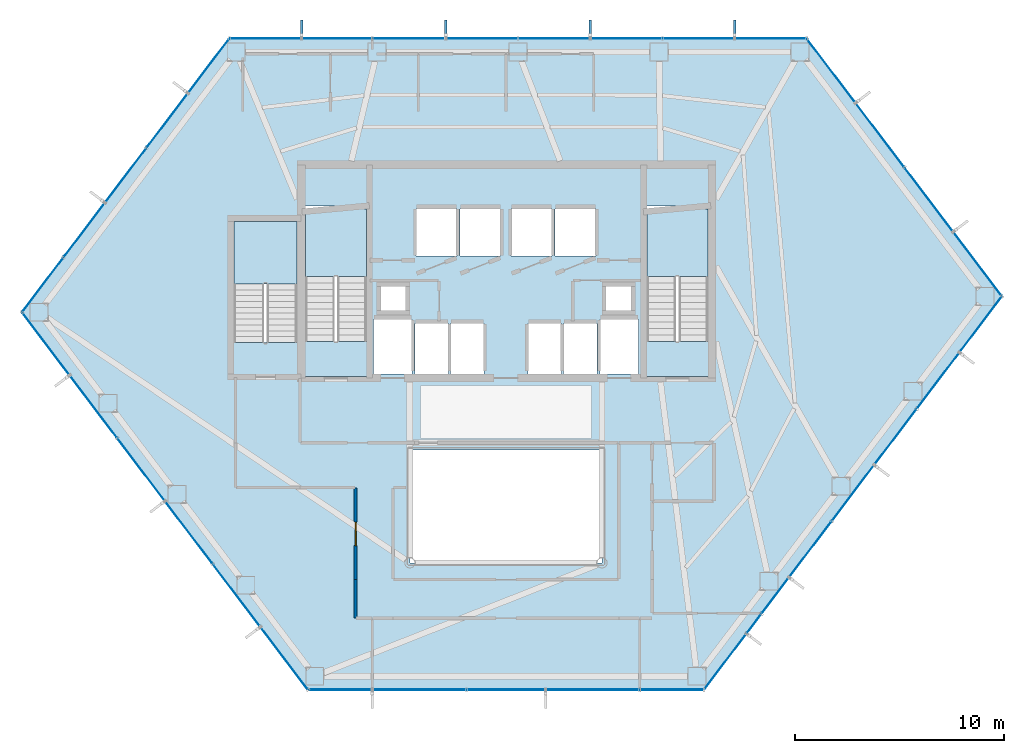
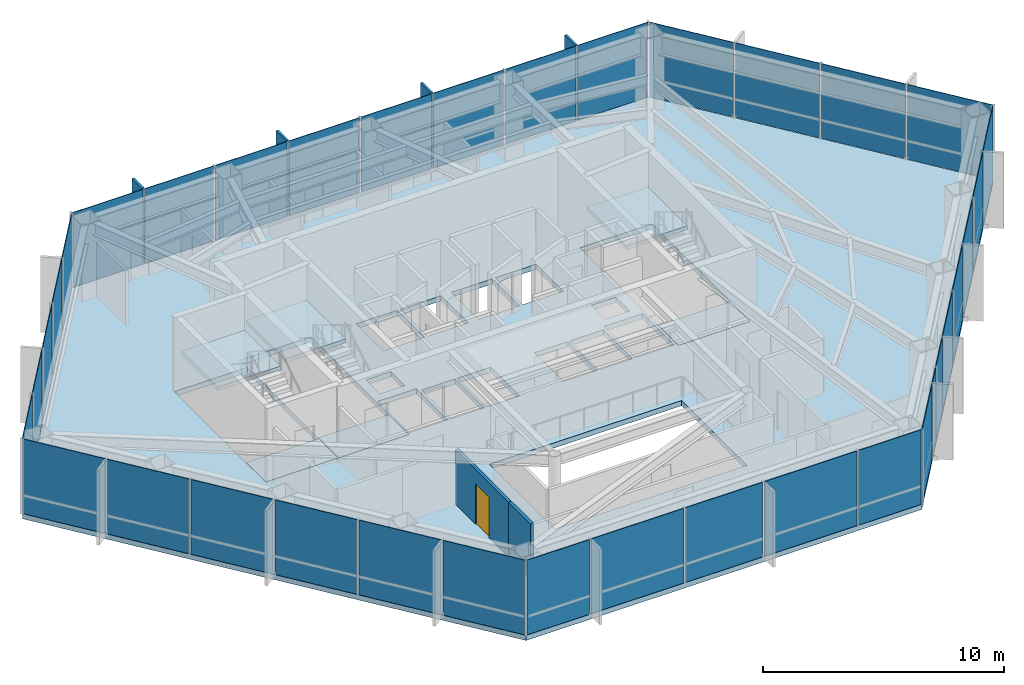
# One storey, part 20 of 24: 36 plates, 7 slabs, 4 members, 2 walls, 1 door, 1 opening, 9 elements without a shape of their own.
"""IFC4 building model written with IfcOpenShell, lengths in metres."""

import ifcopenshell
import ifcopenshell.guid

model = None  # the IFC model being written
_history = None  # IfcOwnerHistory: only IFC2X3 demands one
_inside = {}  # id of a spatial element -> (the spatial element, [elements in it])
_under = {}  # id of a project, library or spatial element -> (it, [spatial elements below it])
_declared = {}  # id of a project -> (the project, [libraries it declares])
_typed = {}  # id of a type object -> (the type object, [elements of that type])
_made_of = {}  # id of a material, layer set ... -> (it, [elements and type objects made of it])


def new_model(schema):
    """Start an empty IFC model of exactly this schema.

    Asked for "IFC4X3", IfcOpenShell would pick the latest addendum, in which some entities
    have other attributes; the version numbers below select the first issue.
    IFC2X3 requires an IfcOwnerHistory on every rooted entity: one is made here for all.
    """
    global model, _history
    if schema == "IFC4X3":
        model = ifcopenshell.file(schema_version=(4, 3, 0, 0))
    else:
        model = ifcopenshell.file(schema=schema)
    _inside.clear()
    _under.clear()
    _declared.clear()
    _typed.clear()
    _made_of.clear()
    _history = None
    if model.schema == "IFC2X3":
        org = make("IfcOrganization", Name="unknown")
        user = make(
            "IfcPersonAndOrganization",
            ThePerson=make("IfcPerson", FamilyName="unknown"),
            TheOrganization=org,
        )
        app = make(
            "IfcApplication",
            ApplicationDeveloper=org,
            Version="unknown",
            ApplicationFullName="unknown",
            ApplicationIdentifier="unknown",
        )
        _history = make(
            "IfcOwnerHistory",
            OwningUser=user,
            OwningApplication=app,
            ChangeAction="ADDED",
            CreationDate=0,
        )
    return model


def make(cls, **values):
    """One entity of the class cls with the attributes given. An attribute that is None is left unset."""
    return model.create_entity(
        cls, **{name: value for name, value in values.items() if value is not None}
    )


def rooted(cls, **values):
    """An entity with a GlobalId (a new one), such as an element, a storey or a relation."""
    return make(cls, GlobalId=ifcopenshell.guid.new(), OwnerHistory=_history, **values)


def si_unit(unit_type, name, prefix=None):
    """IfcSIUnit, for example si_unit("LENGTHUNIT", "METRE", prefix="MILLI")."""
    return make("IfcSIUnit", UnitType=unit_type, Prefix=prefix, Name=name)


def assignment(units):
    """IfcUnitAssignment: the units of a project."""
    return None if units is None else make("IfcUnitAssignment", Units=units)


def point(xyz):
    """IfcCartesianPoint."""
    return None if xyz is None else make("IfcCartesianPoint", Coordinates=xyz)


def direction(xyz):
    """IfcDirection."""
    return None if xyz is None else make("IfcDirection", DirectionRatios=xyz)


def frame(location, z_axis=None, x_axis=None):
    """IfcAxis2Placement3D, a coordinate frame: its origin and axes. An axis left out is left unset."""
    return make(
        "IfcAxis2Placement3D",
        Location=point(location),
        Axis=direction(z_axis),
        RefDirection=direction(x_axis),
    )


def frame_2d(location, x_axis=None):
    """IfcAxis2Placement2D, a coordinate frame in the plane: its origin and x axis."""
    return make(
        "IfcAxis2Placement2D", Location=point(location), RefDirection=direction(x_axis)
    )


def origin():
    """The frame at (0, 0, 0) with its axes left unset."""
    return frame((0.0, 0.0, 0.0))


def origin_2d():
    """The frame at (0, 0) in the plane with its x axis left unset."""
    return frame_2d((0.0, 0.0))


def place(relative_to, where):
    """IfcLocalPlacement: puts the frame where relative to a parent placement (None: the world)."""
    return make(
        "IfcLocalPlacement", PlacementRelTo=relative_to, RelativePlacement=where
    )


def context(
    kind, dimensions, precision=None, world=None, true_north=None, identifier=None
):
    """IfcGeometricRepresentationContext, for example the 3D "Model" context."""
    return make(
        "IfcGeometricRepresentationContext",
        ContextIdentifier=identifier,
        ContextType=kind,
        CoordinateSpaceDimension=dimensions,
        Precision=precision,
        WorldCoordinateSystem=world,
        TrueNorth=true_north,
    )


def subcontext(parent, identifier, kind, view, scale=None):
    """IfcGeometricRepresentationSubContext, for example "Body" below "Model"."""
    return make(
        "IfcGeometricRepresentationSubContext",
        ContextIdentifier=identifier,
        ContextType=kind,
        ParentContext=parent,
        TargetScale=scale,
        TargetView=view,
    )


def project(units=None, contexts=None):
    """IfcProject with its units and contexts."""
    return rooted(
        "IfcProject",
        Name="project",
        RepresentationContexts=contexts,
        UnitsInContext=assignment(units),
    )


def spatial(cls, under=None, at=None, **own):
    """A site, building, storey or space (cls), placed at a placement, below another one or the project."""
    s = rooted(cls, ObjectPlacement=at, **own)
    if under is not None:
        _under.setdefault(under.id(), (under, []))[1].append(s)
    return s


def polyline(points):
    """IfcPolyline through the points."""
    return make("IfcPolyline", Points=[point(p) for p in points])


def profile(cls, at=None, kind="AREA", **sizes):
    """A parametric profile (cls). Its sizes go by their IFC names, for example OverallWidth=200.0."""
    return make(cls, ProfileType=kind, Position=at, **sizes)


def rectangle(**sizes):
    """IfcRectangleProfileDef."""
    return profile("IfcRectangleProfileDef", **sizes)


def outline(outer, holes=None, kind="AREA"):
    """IfcArbitraryClosedProfileDef: a profile drawn as a closed curve; with holes, ...WithVoids."""
    if holes is None:
        return make("IfcArbitraryClosedProfileDef", ProfileType=kind, OuterCurve=outer)
    return make(
        "IfcArbitraryProfileDefWithVoids",
        ProfileType=kind,
        OuterCurve=outer,
        InnerCurves=holes,
    )


def extrude(swept, where, along, depth):
    """IfcExtrudedAreaSolid: the profile swept, set in the frame where, extruded along a direction by depth."""
    return make(
        "IfcExtrudedAreaSolid",
        SweptArea=swept,
        Position=where,
        ExtrudedDirection=direction(along),
        Depth=depth,
    )


def shape(context_of_items, identifier, shape_type, items):
    """IfcShapeRepresentation: the items that make up one representation, for example the "Body"."""
    return make(
        "IfcShapeRepresentation",
        ContextOfItems=context_of_items,
        RepresentationIdentifier=identifier,
        RepresentationType=shape_type,
        Items=items,
    )


def material(Name=None, Category=None):
    """IfcMaterial."""
    return make("IfcMaterial", Name=Name, Category=Category)


def layer(
    of_material, thickness, ventilated=None, Name=None, Category=None, Priority=None
):
    """IfcMaterialLayer: one layer of a wall or slab, of a material (None: an air gap)."""
    return make(
        "IfcMaterialLayer",
        Material=of_material,
        LayerThickness=thickness,
        IsVentilated=ventilated,
        Name=Name,
        Category=Category,
        Priority=Priority,
    )


def layer_set(layers, Name=None):
    """IfcMaterialLayerSet."""
    return make("IfcMaterialLayerSet", MaterialLayers=layers, LayerSetName=Name)


def material_profile(
    of_material, cross_section, Name=None, Category=None, Priority=None
):
    """IfcMaterialProfile: a cross section and its material."""
    return make(
        "IfcMaterialProfile",
        Name=Name,
        Material=of_material,
        Profile=cross_section,
        Priority=Priority,
        Category=Category,
    )


def profile_set(profiles, Name=None, composite=None):
    """IfcMaterialProfileSet."""
    return make(
        "IfcMaterialProfileSet",
        Name=Name,
        MaterialProfiles=profiles,
        CompositeProfile=composite,
    )


def made_of(thing, what):
    """Note that an element or type object is made of a material, layer set ...; save() writes the relation."""
    if what is not None:
        _made_of.setdefault(what.id(), (what, []))[1].append(thing)
    return thing


def type_object(cls, material=None, **own):
    """A type object (cls), such as IfcWallType, which elements share."""
    return made_of(rooted(cls, **own), material)


def element(
    cls,
    number,
    at=None,
    inside=None,
    cuts=None,
    type_object=None,
    material=None,
    context=None,
    identifier="Body",
    shape_type=None,
    held_by="IfcProductDefinitionShape",
    body=None,
    shapes=None,
    **own,
):
    """One element of the class cls, such as IfcWall. Its Tag is "e" and its number.

    at: its placement. inside: the storey or other place that contains it. cuts: it is an
    opening in that element (IfcRelVoidsElement). A single representation is given by context,
    identifier, shape_type and body (its items); several are given by shapes. held_by: the class
    of the entity that holds the representations. save() writes the other relations.
    """
    e = rooted(cls, Tag="e%d" % number, ObjectPlacement=at, **own)
    if body is not None:
        shapes = [shape(context, identifier, shape_type, body)]
    if shapes is not None:
        e.Representation = make(held_by, Representations=shapes)
    if inside is not None:
        _inside.setdefault(inside.id(), (inside, []))[1].append(e)
    if cuts is not None:
        rooted(
            "IfcRelVoidsElement", RelatingBuildingElement=cuts, RelatedOpeningElement=e
        )
    if type_object is not None:
        _typed.setdefault(type_object.id(), (type_object, []))[1].append(e)
    return made_of(e, material)


def fill(opening, filler):
    """IfcRelFillsElement: the door or window that sits in an opening."""
    return rooted(
        "IfcRelFillsElement",
        RelatingOpeningElement=opening,
        RelatedBuildingElement=filler,
    )


def aggregate(whole, parts):
    """IfcRelAggregates: a whole, such as a stair, and the parts it consists of."""
    return rooted("IfcRelAggregates", RelatingObject=whole, RelatedObjects=parts)


def save(model, path):
    """Write the relations noted so far, then the file.

    IfcRelAggregates (storeys below a building ...), IfcRelContainedInSpatialStructure (elements
    in a storey), IfcRelDefinesByType, IfcRelAssociatesMaterial and IfcRelDeclares: one each for
    every whole, place, type object, material and project.
    """
    for whole, parts in _under.values():
        aggregate(whole, parts)
    for where, things in _inside.values():
        rooted(
            "IfcRelContainedInSpatialStructure",
            RelatedElements=things,
            RelatingStructure=where,
        )
    for kind, things in _typed.values():
        rooted("IfcRelDefinesByType", RelatedObjects=things, RelatingType=kind)
    for what, things in _made_of.values():
        rooted("IfcRelAssociatesMaterial", RelatedObjects=things, RelatingMaterial=what)
    for by, libraries in _declared.values():
        rooted("IfcRelDeclares", RelatingContext=by, RelatedDefinitions=libraries)
    model.write(path)


model = new_model("IFC4")

# Units and contexts
model_context = context("Model", 3, precision=1e-05, world=origin(), true_north=direction((0.0, 1.0)))
body_context = subcontext(model_context, "Body", "Model", "MODEL_VIEW")
ifc_project = project(units=[si_unit("LENGTHUNIT", "METRE"), si_unit("AREAUNIT", "SQUARE_METRE"), si_unit("VOLUMEUNIT", "CUBIC_METRE"), si_unit("PLANEANGLEUNIT", "RADIAN"), si_unit("MASSUNIT", "GRAM", prefix="KILO")], contexts=[model_context])

# Site, building, storey
site_placement = place(None, origin())
site = spatial("IfcSite", under=ifc_project, at=site_placement, CompositionType="ELEMENT")
building_placement = place(site_placement, origin())
building = spatial("IfcBuilding", under=site, at=building_placement, Name="Zarrinselat Tower", CompositionType="ELEMENT")
storey_placement = place(building_placement, frame((0.0, 0.0, 100.97998046875)))
storey = spatial("IfcBuildingStorey", under=building, at=storey_placement, Name="L24", CompositionType="ELEMENT", Elevation=100.97998046875)

# Curtain wall, members, plates
ifc_material_1 = material(Name="Extruded Aluminium Alloy EN AW-6063 T6", Category="aluminium")
ifc_layer_1 = layer(ifc_material_1, 0.18505859375)
ifc_layer_set_1 = layer_set([ifc_layer_1], Name="Extruded Aluminium Alloy EN AW-6063 T6")
curtain_wall_type = type_object("IfcCurtainWallType", Name="CWS-OFF", PredefinedType="NOTDEFINED", material=ifc_layer_set_1)
curtain_wall_1_placement = place(storey_placement, origin())
curtain_wall_1 = element("IfcCurtainWall", 1, at=curtain_wall_1_placement, inside=storey, type_object=curtain_wall_type, Name="L24 Unitised Curtain Wall CW-L24-E01", PredefinedType="NOTDEFINED")
ifc_material_2 = material(Name="Honed Cream Travertine Stone", Category="masonry")
ifc_material_profile = material_profile(ifc_material_2, rectangle(XDim=0.1201171875, YDim=0.85009765625, at=origin_2d()), Name="FIN 850x120")
ifc_profile_set = profile_set([ifc_material_profile], Name="Honed Cream Travertine Stone")
member_type = type_object("IfcMemberType", Name="MEM-STONE-FIN", PredefinedType="USERDEFINED", material=ifc_profile_set)
member_1_placement = place(storey_placement, frame((49.340576171875, 49.9599609375, 0.0), z_axis=(0.0, 0.0, 1.0), x_axis=(1.0, 0.0, 0.0)))
member_1 = element("IfcMember", 2, at=member_1_placement, type_object=member_type, Name="L24 Stone Shading Fin CW-L24-E01-01", ObjectType="FIN", PredefinedType="USERDEFINED", context=body_context, shape_type="SweptSolid", body=[
    extrude(rectangle(XDim=0.1201171875, YDim=0.85009765625, at=origin_2d()), origin(), (0.0, 0.0, 1.0), 3.820068359375),
])
member_2_placement = place(storey_placement, frame((42.432861328125, 49.9599609375, 0.0), z_axis=(0.0, 0.0, 1.0), x_axis=(1.0, 0.0, 0.0)))
member_2 = element("IfcMember", 3, at=member_2_placement, type_object=member_type, Name="L24 Stone Shading Fin CW-L24-E01-03", ObjectType="FIN", PredefinedType="USERDEFINED", context=body_context, shape_type="SweptSolid", body=[
    extrude(rectangle(XDim=0.1201171875, YDim=0.85009765625, at=origin_2d()), origin(), (0.0, 0.0, 1.0), 3.820068359375),
])
member_3_placement = place(storey_placement, frame((35.525146484375, 49.9599609375, 0.0), z_axis=(0.0, 0.0, 1.0), x_axis=(1.0, 0.0, 0.0)))
member_3 = element("IfcMember", 4, at=member_3_placement, type_object=member_type, Name="L24 Stone Shading Fin CW-L24-E01-05", ObjectType="FIN", PredefinedType="USERDEFINED", context=body_context, shape_type="SweptSolid", body=[
    extrude(rectangle(XDim=0.1201171875, YDim=0.85009765625, at=origin_2d()), origin(), (0.0, 0.0, 1.0), 3.820068359375),
])
member_4_placement = place(storey_placement, frame((28.617431640625, 49.9599609375, 0.0), z_axis=(0.0, 0.0, 1.0), x_axis=(1.0, 0.0, 0.0)))
member_4 = element("IfcMember", 5, at=member_4_placement, type_object=member_type, Name="L24 Stone Shading Fin CW-L24-E01-07", ObjectType="FIN", PredefinedType="USERDEFINED", context=body_context, shape_type="SweptSolid", body=[
    extrude(rectangle(XDim=0.1201171875, YDim=0.85009765625, at=origin_2d()), origin(), (0.0, 0.0, 1.0), 3.820068359375),
])
ifc_material_3 = material(Name="Double Low-E Laminated Solar Glass", Category="glass")
ifc_layer_2 = layer(ifc_material_3, 0.031982421875)
ifc_layer_set_2 = layer_set([ifc_layer_2], Name="Double Low-E Laminated Solar Glass")
plate_type = type_object("IfcPlateType", Name="PLT-CW-GL32", PredefinedType="CURTAIN_PANEL", material=ifc_layer_set_2)
plate_1_placement = place(storey_placement, frame((51.067626953125, 49.5, 0.02001953125), z_axis=(0.0, 0.0, 1.0), x_axis=(-1.0, 0.0, 0.0)))
plate_1 = element("IfcPlate", 6, at=plate_1_placement, type_object=plate_type, Name="CW-L24-E01 Vision Glass Panel 1", PredefinedType="CURTAIN_PANEL", context=body_context, shape_type="SweptSolid", body=[
    extrude(rectangle(XDim=3.35400390625, YDim=0.031982421875, at=origin_2d()), origin(), (0.0, 0.0, 1.0), 3.780029296875),
])
plate_2_placement = place(storey_placement, frame((47.61376953125, 49.5, 0.02001953125), z_axis=(0.0, 0.0, 1.0), x_axis=(-1.0, 0.0, 0.0)))
plate_2 = element("IfcPlate", 7, at=plate_2_placement, type_object=plate_type, Name="CW-L24-E01 Vision Glass Panel 2", PredefinedType="CURTAIN_PANEL", context=body_context, shape_type="SweptSolid", body=[
    extrude(rectangle(XDim=3.35400390625, YDim=0.031982421875, at=origin_2d()), origin(), (0.0, 0.0, 1.0), 3.780029296875),
])
plate_3_placement = place(storey_placement, frame((44.159912109375, 49.5, 0.02001953125), z_axis=(0.0, 0.0, 1.0), x_axis=(-1.0, 0.0, 0.0)))
plate_3 = element("IfcPlate", 8, at=plate_3_placement, type_object=plate_type, Name="CW-L24-E01 Vision Glass Panel 3", PredefinedType="CURTAIN_PANEL", context=body_context, shape_type="SweptSolid", body=[
    extrude(rectangle(XDim=3.35400390625, YDim=0.031982421875, at=origin_2d()), origin(), (0.0, 0.0, 1.0), 3.780029296875),
])
plate_4_placement = place(storey_placement, frame((40.7060546875, 49.5, 0.02001953125), z_axis=(0.0, 0.0, 1.0), x_axis=(-1.0, 0.0, 0.0)))
plate_4 = element("IfcPlate", 9, at=plate_4_placement, type_object=plate_type, Name="CW-L24-E01 Vision Glass Panel 4", PredefinedType="CURTAIN_PANEL", context=body_context, shape_type="SweptSolid", body=[
    extrude(rectangle(XDim=3.35400390625, YDim=0.031982421875, at=origin_2d()), origin(), (0.0, 0.0, 1.0), 3.780029296875),
])
plate_5_placement = place(storey_placement, frame((37.252197265625, 49.5, 0.02001953125), z_axis=(0.0, 0.0, 1.0), x_axis=(-1.0, 0.0, 0.0)))
plate_5 = element("IfcPlate", 10, at=plate_5_placement, type_object=plate_type, Name="CW-L24-E01 Vision Glass Panel 5", PredefinedType="CURTAIN_PANEL", context=body_context, shape_type="SweptSolid", body=[
    extrude(rectangle(XDim=3.35400390625, YDim=0.031982421875, at=origin_2d()), origin(), (0.0, 0.0, 1.0), 3.780029296875),
])
plate_6_placement = place(storey_placement, frame((33.7626953125, 49.5, 0.02001953125), z_axis=(0.0, 0.0, 1.0), x_axis=(-1.0, 0.0, 0.0)))
plate_6 = element("IfcPlate", 11, at=plate_6_placement, type_object=plate_type, Name="CW-L24-E01 Vision Glass Panel 6", PredefinedType="CURTAIN_PANEL", context=body_context, shape_type="SweptSolid", body=[
    extrude(rectangle(XDim=3.42529296875, YDim=0.031982421875, at=origin_2d()), origin(), (0.0, 0.0, 1.0), 3.780029296875),
])
plate_7_placement = place(storey_placement, frame((30.30859375, 49.5, 0.02001953125), z_axis=(0.0, 0.0, 1.0), x_axis=(-1.0, 0.0, 0.0)))
plate_7 = element("IfcPlate", 12, at=plate_7_placement, type_object=plate_type, Name="CW-L24-E01 Vision Glass Panel 7", PredefinedType="CURTAIN_PANEL", context=body_context, shape_type="SweptSolid", body=[
    extrude(rectangle(XDim=3.282470703125, YDim=0.031982421875, at=origin_2d()), origin(), (0.0, 0.0, 1.0), 3.780029296875),
])
plate_8_placement = place(storey_placement, frame((26.890380859375, 49.5, 0.02001953125), z_axis=(0.0, 0.0, 1.0), x_axis=(-1.0, 0.0, 0.0)))
plate_8 = element("IfcPlate", 13, at=plate_8_placement, type_object=plate_type, Name="CW-L24-E01 Vision Glass Panel 8", PredefinedType="CURTAIN_PANEL", context=body_context, shape_type="SweptSolid", body=[
    extrude(rectangle(XDim=3.35400390625, YDim=0.031982421875, at=origin_2d()), origin(), (0.0, 0.0, 1.0), 3.780029296875),
])
aggregate(curtain_wall_1, [member_1, member_2, member_3, member_4, plate_1, plate_2, plate_3, plate_4, plate_5, plate_6, plate_7, plate_8])

# Curtain wall, plates
curtain_wall_2_placement = place(storey_placement, origin())
curtain_wall_2 = element("IfcCurtainWall", 14, at=curtain_wall_2_placement, inside=storey, type_object=curtain_wall_type, Name="L24 Unitised Curtain Wall CW-L24-E02", PredefinedType="NOTDEFINED")
plate_9_placement = place(storey_placement, frame((24.1708984375, 48.189697265625, 0.02001953125), z_axis=(0.0, 0.0, 1.0), x_axis=(-0.603854877249, -0.7970942775, 0.0)))
plate_9 = element("IfcPlate", 15, at=plate_9_placement, type_object=plate_type, Name="CW-L24-E02 Vision Glass Panel 1", PredefinedType="CURTAIN_PANEL", context=body_context, shape_type="SweptSolid", body=[
    extrude(rectangle(XDim=3.18798828125, YDim=0.031982421875, at=origin_2d()), origin(), (0.0, 0.0, 1.0), 3.780029296875),
])
plate_10_placement = place(storey_placement, frame((22.185302734375, 45.56884765625, 0.02001953125), z_axis=(0.0, 0.0, 1.0), x_axis=(-0.603854877249, -0.7970942775, 0.0)))
plate_10 = element("IfcPlate", 16, at=plate_10_placement, type_object=plate_type, Name="CW-L24-E02 Vision Glass Panel 2", PredefinedType="CURTAIN_PANEL", context=body_context, shape_type="SweptSolid", body=[
    extrude(rectangle(XDim=3.18798828125, YDim=0.031982421875, at=origin_2d()), origin(), (0.0, 0.0, 1.0), 3.780029296875),
])
plate_11_placement = place(storey_placement, frame((20.199951171875, 42.947998046875, 0.02001953125), z_axis=(0.0, 0.0, 1.0), x_axis=(-0.603854877249, -0.7970942775, 0.0)))
plate_11 = element("IfcPlate", 17, at=plate_11_placement, type_object=plate_type, Name="CW-L24-E02 Vision Glass Panel 3", PredefinedType="CURTAIN_PANEL", context=body_context, shape_type="SweptSolid", body=[
    extrude(rectangle(XDim=3.18798828125, YDim=0.031982421875, at=origin_2d()), origin(), (0.0, 0.0, 1.0), 3.780029296875),
])
plate_12_placement = place(storey_placement, frame((18.214599609375, 40.3271484375, 0.02001953125), z_axis=(0.0, 0.0, 1.0), x_axis=(-0.603854877249, -0.7970942775, 0.0)))
plate_12 = element("IfcPlate", 18, at=plate_12_placement, type_object=plate_type, Name="CW-L24-E02 Vision Glass Panel 4", PredefinedType="CURTAIN_PANEL", context=body_context, shape_type="SweptSolid", body=[
    extrude(rectangle(XDim=3.18798828125, YDim=0.031982421875, at=origin_2d()), origin(), (0.0, 0.0, 1.0), 3.780029296875),
])
plate_13_placement = place(storey_placement, frame((16.22900390625, 37.706298828125, 0.02001953125), z_axis=(0.0, 0.0, 1.0), x_axis=(-0.603854877249, -0.7970942775, 0.0)))
plate_13 = element("IfcPlate", 19, at=plate_13_placement, type_object=plate_type, Name="CW-L24-E02 Vision Glass Panel 5", PredefinedType="CURTAIN_PANEL", context=body_context, shape_type="SweptSolid", body=[
    extrude(rectangle(XDim=3.18798828125, YDim=0.031982421875, at=origin_2d()), origin(), (0.0, 0.0, 1.0), 3.780029296875),
])
aggregate(curtain_wall_2, [plate_9, plate_10, plate_11, plate_12, plate_13])

curtain_wall_3_placement = place(storey_placement, origin())
curtain_wall_3 = element("IfcCurtainWall", 20, at=curtain_wall_3_placement, inside=storey, type_object=curtain_wall_type, Name="L24 Unitised Curtain Wall CW-L24-E03", PredefinedType="NOTDEFINED")
plate_14_placement = place(storey_placement, frame((16.377197265625, 34.89013671875, 0.02001953125), z_axis=(0.0, 0.0, 1.0), x_axis=(0.603857772927, -0.797092083812, 0.0)))
plate_14 = element("IfcPlate", 21, at=plate_14_placement, type_object=plate_type, Name="CW-L24-E03 Vision Glass Panel 1", PredefinedType="CURTAIN_PANEL", context=body_context, shape_type="SweptSolid", body=[
    extrude(rectangle(XDim=3.678466796875, YDim=0.031982421875, at=origin_2d()), origin(), (0.0, 0.0, 1.0), 3.780029296875),
])
plate_15_placement = place(storey_placement, frame((18.65869140625, 31.87841796875, 0.02001953125), z_axis=(0.0, 0.0, 1.0), x_axis=(0.603857772927, -0.797092083812, 0.0)))
plate_15 = element("IfcPlate", 22, at=plate_15_placement, type_object=plate_type, Name="CW-L24-E03 Vision Glass Panel 2", PredefinedType="CURTAIN_PANEL", context=body_context, shape_type="SweptSolid", body=[
    extrude(rectangle(XDim=3.678466796875, YDim=0.031982421875, at=origin_2d()), origin(), (0.0, 0.0, 1.0), 3.780029296875),
])
plate_16_placement = place(storey_placement, frame((20.9404296875, 28.86669921875, 0.02001953125), z_axis=(0.0, 0.0, 1.0), x_axis=(0.603857772927, -0.797092083812, 0.0)))
plate_16 = element("IfcPlate", 23, at=plate_16_placement, type_object=plate_type, Name="CW-L24-E03 Vision Glass Panel 3", PredefinedType="CURTAIN_PANEL", context=body_context, shape_type="SweptSolid", body=[
    extrude(rectangle(XDim=3.678466796875, YDim=0.031982421875, at=origin_2d()), origin(), (0.0, 0.0, 1.0), 3.780029296875),
])
plate_17_placement = place(storey_placement, frame((23.22216796875, 25.85498046875, 0.02001953125), z_axis=(0.0, 0.0, 1.0), x_axis=(0.603857772927, -0.797092083812, 0.0)))
plate_17 = element("IfcPlate", 24, at=plate_17_placement, type_object=plate_type, Name="CW-L24-E03 Vision Glass Panel 4", PredefinedType="CURTAIN_PANEL", context=body_context, shape_type="SweptSolid", body=[
    extrude(rectangle(XDim=3.678466796875, YDim=0.031982421875, at=origin_2d()), origin(), (0.0, 0.0, 1.0), 3.780029296875),
])
plate_18_placement = place(storey_placement, frame((25.503662109375, 22.84326171875, 0.02001953125), z_axis=(0.0, 0.0, 1.0), x_axis=(0.603857772927, -0.797092083812, 0.0)))
plate_18 = element("IfcPlate", 25, at=plate_18_placement, type_object=plate_type, Name="CW-L24-E03 Vision Glass Panel 5", PredefinedType="CURTAIN_PANEL", context=body_context, shape_type="SweptSolid", body=[
    extrude(rectangle(XDim=3.678466796875, YDim=0.031982421875, at=origin_2d()), origin(), (0.0, 0.0, 1.0), 3.780029296875),
])
plate_19_placement = place(storey_placement, frame((27.785400390625, 19.83154296875, 0.02001953125), z_axis=(0.0, 0.0, 1.0), x_axis=(0.603857772927, -0.797092083812, 0.0)))
plate_19 = element("IfcPlate", 26, at=plate_19_placement, type_object=plate_type, Name="CW-L24-E03 Vision Glass Panel 6", PredefinedType="CURTAIN_PANEL", context=body_context, shape_type="SweptSolid", body=[
    extrude(rectangle(XDim=3.678466796875, YDim=0.031982421875, at=origin_2d()), origin(), (0.0, 0.0, 1.0), 3.780029296875),
])
aggregate(curtain_wall_3, [plate_14, plate_15, plate_16, plate_17, plate_18, plate_19])

curtain_wall_4_placement = place(storey_placement, origin())
curtain_wall_4 = element("IfcCurtainWall", 27, at=curtain_wall_4_placement, inside=storey, type_object=curtain_wall_type, Name="L24 Unitised Curtain Wall CW-L24-E04", PredefinedType="NOTDEFINED")
plate_20_placement = place(storey_placement, frame((30.463134765625, 18.32568359375, 0.02001953125), z_axis=(0.0, 0.0, 1.0), x_axis=(1.0, 0.0, 0.0)))
plate_20 = element("IfcPlate", 28, at=plate_20_placement, type_object=plate_type, Name="CW-L24-E04 Vision Glass Panel 1", PredefinedType="CURTAIN_PANEL", context=body_context, shape_type="SweptSolid", body=[
    extrude(rectangle(XDim=2.973876953125, YDim=0.031982421875, at=origin_2d()), origin(), (0.0, 0.0, 1.0), 3.780029296875),
])
plate_21_placement = place(storey_placement, frame((34.252685546875, 18.32568359375, 0.02001953125), z_axis=(0.0, 0.0, 1.0), x_axis=(1.0, 0.0, 0.0)))
plate_21 = element("IfcPlate", 29, at=plate_21_placement, type_object=plate_type, Name="CW-L24-E04 Vision Glass Panel 2", PredefinedType="CURTAIN_PANEL", context=body_context, shape_type="SweptSolid", body=[
    extrude(rectangle(XDim=4.4052734375, YDim=0.031982421875, at=origin_2d()), origin(), (0.0, 0.0, 1.0), 3.780029296875),
])
plate_22_placement = place(storey_placement, frame((38.39990234375, 18.32568359375, 0.02001953125), z_axis=(0.0, 0.0, 1.0), x_axis=(1.0, 0.0, 0.0)))
plate_22 = element("IfcPlate", 30, at=plate_22_placement, type_object=plate_type, Name="CW-L24-E04 Vision Glass Panel 3", PredefinedType="CURTAIN_PANEL", context=body_context, shape_type="SweptSolid", body=[
    extrude(rectangle(XDim=3.689697265625, YDim=0.031982421875, at=origin_2d()), origin(), (0.0, 0.0, 1.0), 3.780029296875),
])
plate_23_placement = place(storey_placement, frame((42.54736328125, 18.32568359375, 0.02001953125), z_axis=(0.0, 0.0, 1.0), x_axis=(1.0, 0.0, 0.0)))
plate_23 = element("IfcPlate", 31, at=plate_23_placement, type_object=plate_type, Name="CW-L24-E04 Vision Glass Panel 4", PredefinedType="CURTAIN_PANEL", context=body_context, shape_type="SweptSolid", body=[
    extrude(rectangle(XDim=4.4052734375, YDim=0.031982421875, at=origin_2d()), origin(), (0.0, 0.0, 1.0), 3.780029296875),
])
plate_24_placement = place(storey_placement, frame((46.3369140625, 18.32568359375, 0.02001953125), z_axis=(0.0, 0.0, 1.0), x_axis=(1.0, 0.0, 0.0)))
plate_24 = element("IfcPlate", 32, at=plate_24_placement, type_object=plate_type, Name="CW-L24-E04 Vision Glass Panel 5", PredefinedType="CURTAIN_PANEL", context=body_context, shape_type="SweptSolid", body=[
    extrude(rectangle(XDim=2.973876953125, YDim=0.031982421875, at=origin_2d()), origin(), (0.0, 0.0, 1.0), 3.780029296875),
])
aggregate(curtain_wall_4, [plate_20, plate_21, plate_22, plate_23, plate_24])

curtain_wall_5_placement = place(storey_placement, origin())
curtain_wall_5 = element("IfcCurtainWall", 33, at=curtain_wall_5_placement, inside=storey, type_object=curtain_wall_type, Name="L24 Unitised Curtain Wall CW-L24-E05", PredefinedType="NOTDEFINED")
plate_25_placement = place(storey_placement, frame((48.89306640625, 19.6708984375, 0.02001953125), z_axis=(0.0, 0.0, 1.0), x_axis=(0.603858013909, 0.79709190125, 0.0)))
plate_25 = element("IfcPlate", 34, at=plate_25_placement, type_object=plate_type, Name="CW-L24-E05 Vision Glass Panel 1", PredefinedType="CURTAIN_PANEL", context=body_context, shape_type="SweptSolid", body=[
    extrude(rectangle(XDim=3.275634765625, YDim=0.031982421875, at=origin_2d()), origin(), (0.0, 0.0, 1.0), 3.780029296875),
])
plate_26_placement = place(storey_placement, frame((50.271240234375, 21.489990234375, 0.02001953125), z_axis=(0.0, 0.0, 1.0), x_axis=(0.603858013909, 0.79709190125, 0.0)))
plate_26 = element("IfcPlate", 35, at=plate_26_placement, type_object=plate_type, Name="CW-L24-E05 Vision Glass Panel 2", PredefinedType="CURTAIN_PANEL", context=body_context, shape_type="SweptSolid", body=[
    extrude(rectangle(XDim=1.088623046875, YDim=0.031982421875, at=origin_2d()), origin(), (0.0, 0.0, 1.0), 3.780029296875),
])
plate_27_placement = place(storey_placement, frame((51.290283203125, 22.83544921875, 0.02001953125), z_axis=(0.0, 0.0, 1.0), x_axis=(0.603858013909, 0.79709190125, 0.0)))
plate_27 = element("IfcPlate", 36, at=plate_27_placement, type_object=plate_type, Name="CW-L24-E05 Vision Glass Panel 3", PredefinedType="CURTAIN_PANEL", context=body_context, shape_type="SweptSolid", body=[
    extrude(rectangle(XDim=2.0869140625, YDim=0.031982421875, at=origin_2d()), origin(), (0.0, 0.0, 1.0), 3.780029296875),
])
plate_28_placement = place(storey_placement, frame((52.969970703125, 25.05224609375, 0.02001953125), z_axis=(0.0, 0.0, 1.0), x_axis=(0.603858013909, 0.79709190125, 0.0)))
plate_28 = element("IfcPlate", 37, at=plate_28_placement, type_object=plate_type, Name="CW-L24-E05 Vision Glass Panel 4", PredefinedType="CURTAIN_PANEL", context=body_context, shape_type="SweptSolid", body=[
    extrude(rectangle(XDim=3.275634765625, YDim=0.031982421875, at=origin_2d()), origin(), (0.0, 0.0, 1.0), 3.780029296875),
])
plate_29_placement = place(storey_placement, frame((55.00830078125, 27.742919921875, 0.02001953125), z_axis=(0.0, 0.0, 1.0), x_axis=(0.603858013909, 0.79709190125, 0.0)))
plate_29 = element("IfcPlate", 38, at=plate_29_placement, type_object=plate_type, Name="CW-L24-E05 Vision Glass Panel 5", PredefinedType="CURTAIN_PANEL", context=body_context, shape_type="SweptSolid", body=[
    extrude(rectangle(XDim=3.275634765625, YDim=0.031982421875, at=origin_2d()), origin(), (0.0, 0.0, 1.0), 3.780029296875),
])
plate_30_placement = place(storey_placement, frame((57.046630859375, 30.43359375, 0.02001953125), z_axis=(0.0, 0.0, 1.0), x_axis=(0.603858013909, 0.79709190125, 0.0)))
plate_30 = element("IfcPlate", 39, at=plate_30_placement, type_object=plate_type, Name="CW-L24-E05 Vision Glass Panel 6", PredefinedType="CURTAIN_PANEL", context=body_context, shape_type="SweptSolid", body=[
    extrude(rectangle(XDim=3.275634765625, YDim=0.031982421875, at=origin_2d()), origin(), (0.0, 0.0, 1.0), 3.780029296875),
])
plate_31_placement = place(storey_placement, frame((59.085205078125, 33.12451171875, 0.02001953125), z_axis=(0.0, 0.0, 1.0), x_axis=(0.603858013909, 0.79709190125, 0.0)))
plate_31 = element("IfcPlate", 40, at=plate_31_placement, type_object=plate_type, Name="CW-L24-E05 Vision Glass Panel 7", PredefinedType="CURTAIN_PANEL", context=body_context, shape_type="SweptSolid", body=[
    extrude(rectangle(XDim=3.275634765625, YDim=0.031982421875, at=origin_2d()), origin(), (0.0, 0.0, 1.0), 3.780029296875),
])
plate_32_placement = place(storey_placement, frame((61.12353515625, 35.815185546875, 0.02001953125), z_axis=(0.0, 0.0, 1.0), x_axis=(0.603858013909, 0.79709190125, 0.0)))
plate_32 = element("IfcPlate", 41, at=plate_32_placement, type_object=plate_type, Name="CW-L24-E05 Vision Glass Panel 8", PredefinedType="CURTAIN_PANEL", context=body_context, shape_type="SweptSolid", body=[
    extrude(rectangle(XDim=3.275634765625, YDim=0.031982421875, at=origin_2d()), origin(), (0.0, 0.0, 1.0), 3.780029296875),
])
aggregate(curtain_wall_5, [plate_25, plate_26, plate_27, plate_28, plate_29, plate_30, plate_31, plate_32])

curtain_wall_6_placement = place(storey_placement, origin())
curtain_wall_6 = element("IfcCurtainWall", 42, at=curtain_wall_6_placement, inside=storey, type_object=curtain_wall_type, Name="L24 Unitised Curtain Wall CW-L24-E06", PredefinedType="NOTDEFINED")
plate_33_placement = place(storey_placement, frame((60.97412109375, 38.702880859375, 0.02001953125), z_axis=(0.0, 0.0, 1.0), x_axis=(-0.6038584342, 0.797091582847, 0.0)))
plate_33 = element("IfcPlate", 43, at=plate_33_placement, type_object=plate_type, Name="CW-L24-E06 Vision Glass Panel 1", PredefinedType="CURTAIN_PANEL", context=body_context, shape_type="SweptSolid", body=[
    extrude(rectangle(XDim=3.770263671875, YDim=0.031982421875, at=origin_2d()), origin(), (0.0, 0.0, 1.0), 3.780029296875),
])
plate_34_placement = place(storey_placement, frame((58.63720703125, 41.787841796875, 0.02001953125), z_axis=(0.0, 0.0, 1.0), x_axis=(-0.6038584342, 0.797091582847, 0.0)))
plate_34 = element("IfcPlate", 44, at=plate_34_placement, type_object=plate_type, Name="CW-L24-E06 Vision Glass Panel 2", PredefinedType="CURTAIN_PANEL", context=body_context, shape_type="SweptSolid", body=[
    extrude(rectangle(XDim=3.770263671875, YDim=0.031982421875, at=origin_2d()), origin(), (0.0, 0.0, 1.0), 3.780029296875),
])
plate_35_placement = place(storey_placement, frame((56.300048828125, 44.872802734375, 0.02001953125), z_axis=(0.0, 0.0, 1.0), x_axis=(-0.6038584342, 0.797091582847, 0.0)))
plate_35 = element("IfcPlate", 45, at=plate_35_placement, type_object=plate_type, Name="CW-L24-E06 Vision Glass Panel 3", PredefinedType="CURTAIN_PANEL", context=body_context, shape_type="SweptSolid", body=[
    extrude(rectangle(XDim=3.770263671875, YDim=0.031982421875, at=origin_2d()), origin(), (0.0, 0.0, 1.0), 3.780029296875),
])
plate_36_placement = place(storey_placement, frame((53.962890625, 47.95751953125, 0.02001953125), z_axis=(0.0, 0.0, 1.0), x_axis=(-0.6038584342, 0.797091582847, 0.0)))
plate_36 = element("IfcPlate", 46, at=plate_36_placement, type_object=plate_type, Name="CW-L24-E06 Vision Glass Panel 4", PredefinedType="CURTAIN_PANEL", context=body_context, shape_type="SweptSolid", body=[
    extrude(rectangle(XDim=3.770263671875, YDim=0.031982421875, at=origin_2d()), origin(), (0.0, 0.0, 1.0), 3.780029296875),
])
aggregate(curtain_wall_6, [plate_33, plate_34, plate_35, plate_36])

# Slabs
ifc_material_4 = material(Name="Concrete C40/50", Category="concrete")
ifc_layer_3 = layer(ifc_material_4, 0.260009765625)
ifc_layer_set_3 = layer_set([ifc_layer_3], Name="Concrete C40/50")
slab_type_1 = type_object("IfcSlabType", Name="SLB-FLOOR-260-SL-OF260", PredefinedType="FLOOR", material=ifc_layer_set_3)
slab_1_placement = place(storey_placement, frame((0.0, 0.0, -0.260009765625)))
element("IfcSlab", 47, at=slab_1_placement, inside=storey, type_object=slab_type_1, Name="L24 Primary Structural Slab", PredefinedType="FLOOR", context=body_context, shape_type="SweptSolid", body=[
    extrude(outline(polyline([(52.79443359375, 49.5), (25.16357421875, 49.5), (15.236328125, 36.39599609375), (28.926025390625, 18.32568359375), (47.873779296875, 18.32568359375), (62.142578125, 37.160400390625), (52.79443359375, 49.5)]), holes=[polyline([(34.050048828125, 33.449951171875), (34.050048828125, 35.85009765625), (35.64990234375, 35.85009765625), (35.64990234375, 33.449951171875), (34.050048828125, 33.449951171875)]), polyline([(35.75, 33.449951171875), (35.75, 35.85009765625), (37.35009765625, 35.85009765625), (37.35009765625, 33.449951171875), (35.75, 33.449951171875)]), polyline([(32.06005859375, 33.449951171875), (32.06005859375, 36.050048828125), (33.89990234375, 36.050048828125), (33.89990234375, 33.449951171875), (32.06005859375, 33.449951171875)]), polyline([(32.419921875, 36.47998046875), (32.419921875, 37.639892578125), (33.60009765625, 37.639892578125), (33.60009765625, 36.47998046875), (32.419921875, 36.47998046875)]), polyline([(28.594970703125, 33.324951171875), (25.114990234375, 33.324951171875), (25.114990234375, 40.875), (28.594970703125, 40.875), (28.594970703125, 33.324951171875)]), polyline([(31.985107421875, 33.324951171875), (28.60498046875, 33.324951171875), (28.60498046875, 41.47509765625), (31.985107421875, 41.47509765625), (31.985107421875, 33.324951171875)]), polyline([(34.10009765625, 39.10009765625), (34.10009765625, 41.35009765625), (36.050048828125, 41.35009765625), (36.050048828125, 39.10009765625), (34.10009765625, 39.10009765625)]), polyline([(36.199951171875, 39.10009765625), (36.199951171875, 41.35009765625), (38.14990234375, 41.35009765625), (38.14990234375, 39.10009765625), (36.199951171875, 39.10009765625)]), polyline([(33.800048828125, 24.39990234375), (33.800048828125, 29.800048828125), (43.0, 29.800048828125), (43.0, 24.39990234375), (33.800048828125, 24.39990234375)]), polyline([(39.449951171875, 33.449951171875), (39.449951171875, 35.85009765625), (41.050048828125, 35.85009765625), (41.050048828125, 33.449951171875), (39.449951171875, 33.449951171875)]), polyline([(41.14990234375, 33.449951171875), (41.14990234375, 35.85009765625), (42.75, 35.85009765625), (42.75, 33.449951171875), (41.14990234375, 33.449951171875)]), polyline([(42.89990234375, 33.449951171875), (42.89990234375, 36.050048828125), (44.739990234375, 36.050048828125), (44.739990234375, 33.449951171875), (42.89990234375, 33.449951171875)]), polyline([(43.199951171875, 36.47998046875), (43.199951171875, 37.639892578125), (44.3798828125, 37.639892578125), (44.3798828125, 36.47998046875), (43.199951171875, 36.47998046875)]), polyline([(48.324951171875, 33.324951171875), (44.875, 33.324951171875), (44.875, 41.47509765625), (48.324951171875, 41.47509765625), (48.324951171875, 33.324951171875)]), polyline([(38.64990234375, 39.10009765625), (38.64990234375, 41.35009765625), (40.60009765625, 41.35009765625), (40.60009765625, 39.10009765625), (38.64990234375, 39.10009765625)]), polyline([(40.75, 39.10009765625), (40.75, 41.35009765625), (42.699951171875, 41.35009765625), (42.699951171875, 39.10009765625), (40.75, 39.10009765625)])]), origin(), (0.0, 0.0, 1.0), 0.260009765625),
])
slab_2_placement = place(storey_placement, frame((0.0, 0.0, -0.260009765625)))
element("IfcSlab", 48, at=slab_2_placement, inside=storey, type_object=slab_type_1, Name="L24 Stair ST-1-FL1 Structural Floor Landing", PredefinedType="FLOOR", context=body_context, shape_type="SweptSolid", body=[
    extrude(outline(polyline([(31.97998046875, 33.330078125), (31.97998046875, 35.0), (28.610107421875, 35.0), (28.610107421875, 33.330078125), (31.97998046875, 33.330078125)])), origin(), (0.0, 0.0, 1.0), 0.260009765625),
])
slab_3_placement = place(storey_placement, frame((0.0, 0.0, -0.260009765625)))
element("IfcSlab", 49, at=slab_3_placement, inside=storey, type_object=slab_type_1, Name="L24 Stair ST-2-FL1 Structural Floor Landing", PredefinedType="FLOOR", context=body_context, shape_type="SweptSolid", body=[
    extrude(outline(polyline([(48.320068359375, 33.330078125), (48.320068359375, 35.0), (44.8798828125, 35.0), (44.8798828125, 33.330078125), (48.320068359375, 33.330078125)])), origin(), (0.0, 0.0, 1.0), 0.260009765625),
])
slab_4_placement = place(storey_placement, frame((0.0, 0.0, -0.260009765625)))
element("IfcSlab", 50, at=slab_4_placement, inside=storey, type_object=slab_type_1, Name="L24 Stair ST-3-FL1 Structural Floor Landing", PredefinedType="FLOOR", context=body_context, shape_type="SweptSolid", body=[
    extrude(outline(polyline([(28.590087890625, 33.330078125), (28.590087890625, 34.949951171875), (25.1201171875, 34.949951171875), (25.1201171875, 33.330078125), (28.590087890625, 33.330078125)])), origin(), (0.0, 0.0, 1.0), 0.260009765625),
])

# Stair, slab
ifc_material_5 = material(Name="Concrete C40/50", Category="concrete")
stair_type_1 = type_object("IfcStairType", Name="STR-CORE-145", PredefinedType="HALF_TURN_STAIR", material=ifc_material_5)
stair_1_placement = place(storey_placement, origin())
stair_1 = element("IfcStair", 51, at=stair_1_placement, inside=storey, type_object=stair_type_1, Name="L24 Podium & Mid-Tower Exit Stair 3", PredefinedType="HALF_TURN_STAIR")
ifc_material_6 = material(Name="Concrete C40/50", Category="concrete")
ifc_layer_4 = layer(ifc_material_6, 0.1650390625)
ifc_layer_set_4 = layer_set([ifc_layer_4], Name="Concrete C40/50")
slab_type_2 = type_object("IfcSlabType", Name="SLB-LND-165", PredefinedType="LANDING", material=ifc_layer_set_4)
slab_5_placement = place(storey_placement, frame((0.0, 0.0, 1.840087890625)))
slab_5 = element("IfcSlab", 52, at=slab_5_placement, type_object=slab_type_2, Name="ST-3 landing 1", PredefinedType="LANDING", context=body_context, shape_type="SweptSolid", body=[
    extrude(outline(polyline([(28.39990234375, 37.75), (28.39990234375, 40.75), (25.3798828125, 40.75), (25.3798828125, 37.75), (28.39990234375, 37.75)])), origin(), (0.0, 0.0, 1.0), 0.199951171875),
])
aggregate(stair_1, [slab_5])

ifc_material_7 = material(Name="Concrete C40/50", Category="concrete")
stair_type_2 = type_object("IfcStairType", Name="STR-CORE-155", PredefinedType="HALF_TURN_STAIR", material=ifc_material_7)
stair_2_placement = place(storey_placement, origin())
stair_2 = element("IfcStair", 53, at=stair_2_placement, inside=storey, type_object=stair_type_2, Name="L24 Core Exit Stair 1", PredefinedType="HALF_TURN_STAIR")
ifc_material_8 = material(Name="Concrete C40/50", Category="concrete")
ifc_layer_5 = layer(ifc_material_8, 0.18994140625)
ifc_layer_set_5 = layer_set([ifc_layer_5], Name="Concrete C40/50")
slab_type_3 = type_object("IfcSlabType", Name="SLB-LND-190", PredefinedType="LANDING", material=ifc_layer_set_5)
slab_6_placement = place(storey_placement, frame((0.0, 0.0, 1.840087890625)))
slab_6 = element("IfcSlab", 54, at=slab_6_placement, type_object=slab_type_3, Name="ST-1 landing 1", PredefinedType="LANDING", context=body_context, shape_type="SweptSolid", body=[
    extrude(outline(polyline([(31.719970703125, 38.10009765625), (31.719970703125, 41.35009765625), (28.800048828125, 41.35009765625), (28.800048828125, 38.10009765625), (31.719970703125, 38.10009765625)])), origin(), (0.0, 0.0, 1.0), 0.199951171875),
])
aggregate(stair_2, [slab_6])

stair_3_placement = place(storey_placement, origin())
stair_3 = element("IfcStair", 55, at=stair_3_placement, inside=storey, type_object=stair_type_2, Name="L24 Core Exit Stair 2", PredefinedType="HALF_TURN_STAIR")
slab_7_placement = place(storey_placement, frame((0.0, 0.0, 1.840087890625)))
slab_7 = element("IfcSlab", 56, at=slab_7_placement, type_object=slab_type_3, Name="ST-2 landing 1", PredefinedType="LANDING", context=body_context, shape_type="SweptSolid", body=[
    extrude(outline(polyline([(48.06005859375, 38.10009765625), (48.06005859375, 41.35009765625), (45.139892578125, 41.35009765625), (45.139892578125, 38.10009765625), (48.06005859375, 38.10009765625)])), origin(), (0.0, 0.0, 1.0), 0.199951171875),
])
aggregate(stair_3, [slab_7])

# Wall
ifc_material_9 = material(Name="Fire-Rated Gypsum Board Partition", Category="gypsum")
ifc_layer_6 = layer(ifc_material_9, 0.14990234375)
ifc_layer_set_6 = layer_set([ifc_layer_6], Name="Fire-Rated Gypsum Board Partition")
wall_type = type_object("IfcWallType", Name="WAL-PART-EI60", PredefinedType="PARTITIONING", material=ifc_layer_set_6)
wall_1_placement = place(storey_placement, frame((31.199951171875, 21.77001953125, 0.0), z_axis=(0.0, 0.0, 1.0), x_axis=(0.0, 1.0, 0.0)))
element("IfcWall", 57, at=wall_1_placement, inside=storey, type_object=wall_type, Name="L24 Partition Wall 20", PredefinedType="PARTITIONING", context=body_context, shape_type="SweptSolid", body=[
    extrude(rectangle(XDim=1.830078125, YDim=0.14990234375, at=frame_2d((0.9150390625, 0.0))), origin(), (0.0, 0.0, 1.0), 2.777099609375),
])

# Wall, opening, door
wall_2_placement = place(storey_placement, frame((31.199951171875, 23.60009765625, 0.0), z_axis=(0.0, 0.0, 1.0), x_axis=(0.0, 1.0, 0.0)))
wall_2 = element("IfcWall", 58, at=wall_2_placement, inside=storey, type_object=wall_type, Name="L24 Partition Wall 21", PredefinedType="PARTITIONING", context=body_context, shape_type="SweptSolid", body=[
    extrude(rectangle(XDim=4.3798828125, YDim=0.14990234375, at=frame_2d((2.18994140625, 0.0))), origin(), (0.0, 0.0, 1.0), 2.777099609375),
])
opening_placement = place(wall_2_placement, frame((1.6298828125, 0.0, 0.0)))
opening = element("IfcOpeningElement", 59, at=opening_placement, cuts=wall_2, Name="Opening ID-02", PredefinedType="OPENING", context=body_context, shape_type="SweptSolid", body=[
    extrude(rectangle(XDim=1.1201171875, YDim=2.050048828125, at=frame_2d((0.56005859375, 1.02490234375))), frame((0.0, 0.0849609375, 0.0), z_axis=(0.0, -1.0, 0.0), x_axis=(1.0, 0.0, 0.0)), (0.0, 0.0, 1.0), 0.169921875),
])
ifc_material_10 = material(Name="Steel S355J2", Category="steel")
door_type = type_object("IfcDoorType", Name="DR-INT-FD60-W", OperationType="NOTDEFINED", PredefinedType="DOOR", material=ifc_material_10)
door_placement = place(opening_placement, origin())
door = element("IfcDoor", 60, at=door_placement, inside=storey, type_object=door_type, Name="L24 Interior Door P21", OperationType="SINGLE_SWING_RIGHT", OverallHeight=2.050048828125, OverallWidth=1.1201171875, PredefinedType="DOOR", context=body_context, shape_type="SweptSolid", body=[
    extrude(rectangle(XDim=1.1201171875, YDim=2.050048828125, at=frame_2d((0.56005859375, 1.02490234375))), frame((0.0, 0.02490234375, 0.0), z_axis=(0.0, -1.0, 0.0), x_axis=(1.0, 0.0, 0.0)), (0.0, 0.0, 1.0), 0.050048828125),
])
fill(opening, door)

save(model, "model.ifc")
